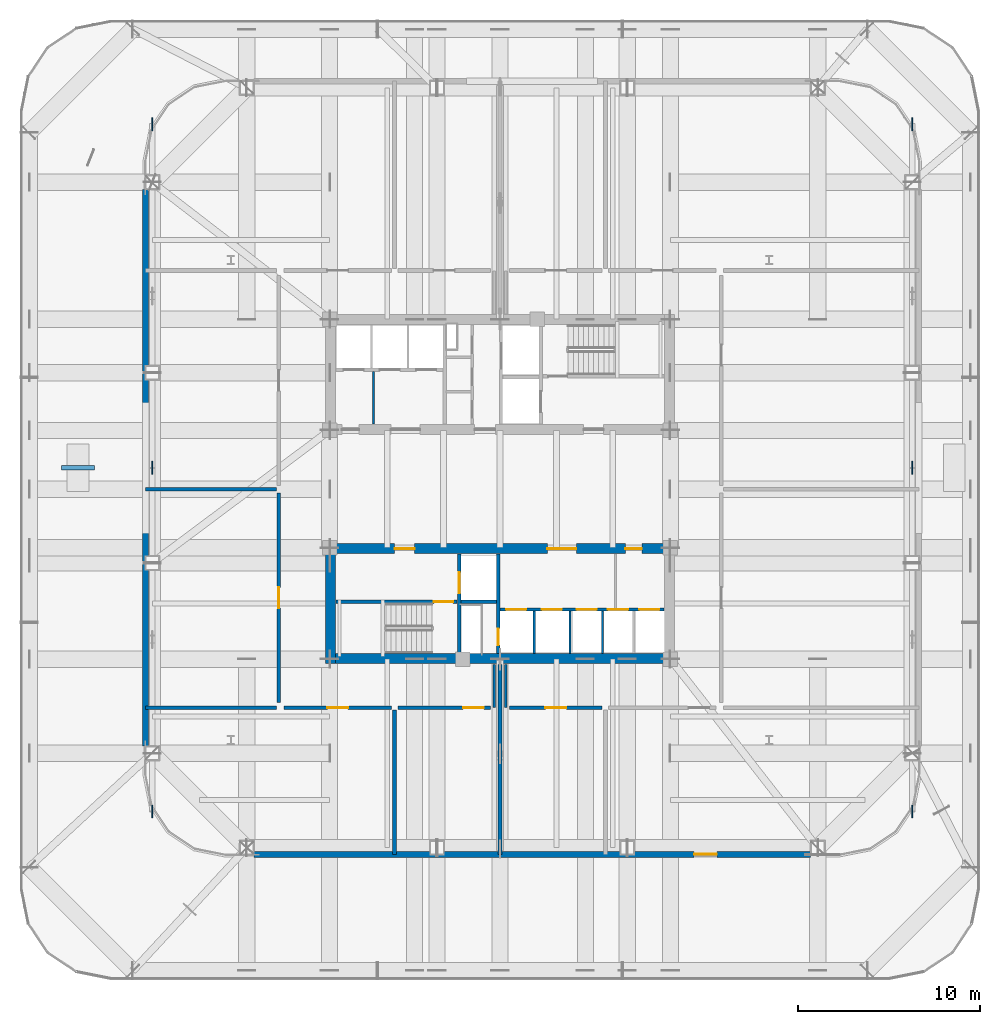
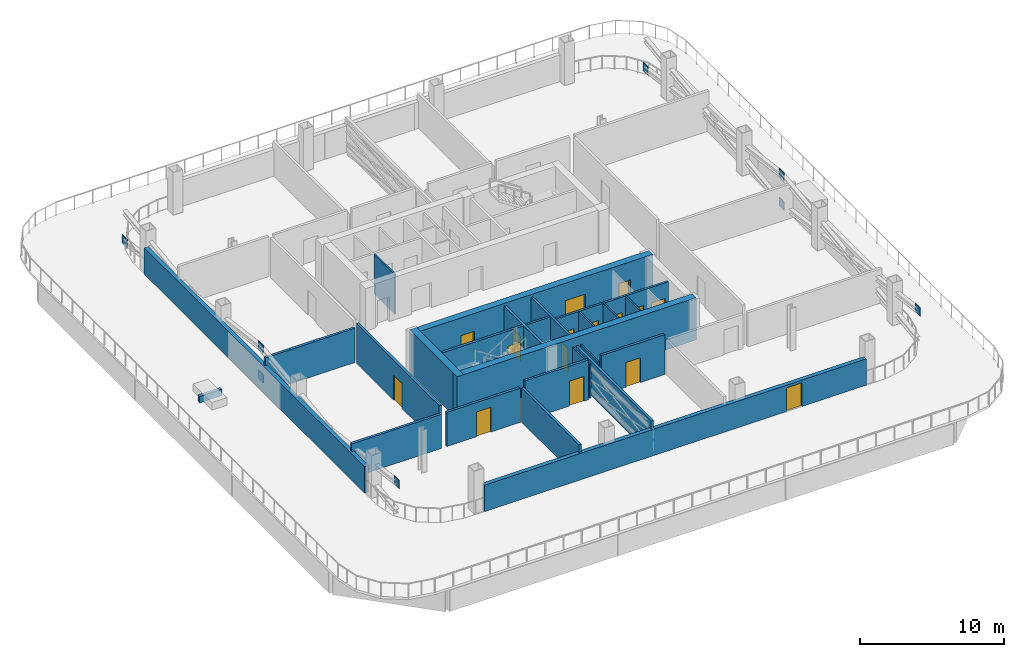
# One storey, part 8 of 16: 25 walls, 16 doors, 8 plates, 16 openings.
"""IFC4 building model written with IfcOpenShell, lengths in metres."""

from ifc_helpers import new_model, si_unit, direction, frame, frame_2d, origin, origin_2d, place, context, subcontext, project, spatial, rectangle, extrude, material, layer, layer_set, type_object, element, fill, save


model = new_model("IFC4")

# Units and contexts
model_context = context("Model", 3, precision=1e-05, world=origin(), true_north=direction((0.0, 1.0)))
body_context = subcontext(model_context, "Body", "Model", "MODEL_VIEW")
ifc_project = project(units=[si_unit("LENGTHUNIT", "METRE"), si_unit("AREAUNIT", "SQUARE_METRE"), si_unit("VOLUMEUNIT", "CUBIC_METRE"), si_unit("PLANEANGLEUNIT", "RADIAN"), si_unit("MASSUNIT", "GRAM", prefix="KILO")], contexts=[model_context])

# Site, building, storey
site_placement = place(None, origin())
site = spatial("IfcSite", under=ifc_project, at=site_placement, CompositionType="ELEMENT")
building_placement = place(site_placement, origin())
building = spatial("IfcBuilding", under=site, at=building_placement, Name="Qhalaya Broadcast Tower", CompositionType="ELEMENT")
storey_placement = place(building_placement, frame((0.0, 0.0, 57.89990234375)))
storey = spatial("IfcBuildingStorey", under=building, at=storey_placement, Name="L16", CompositionType="ELEMENT", Elevation=57.89990234375)

# Plates
ifc_material_1 = material(Name="Structural Steel ASTM A572 Grade 50", Category="steel")
ifc_layer_1 = layer(ifc_material_1, 0.06005859375, Name="Structural Steel ASTM A572 Grade 50")
ifc_layer_set_1 = layer_set([ifc_layer_1], Name="Structural Steel ASTM A572 Grade 50")
plate_type = type_object("IfcPlateType", Name="Outrigger Core Embed Gusset Plate NP-02", PredefinedType="USERDEFINED", material=ifc_layer_set_1)
for number, where, z_axis, x_axis, name in (
    (1, (-19.1298828125, -17.1298828125, 2.580078125), (0.0, 0.0, 1.0), (0.0, 1.0, 0.0), "L16 Belt Truss End Gusset W1-B1T"),
    (2, (-19.1298828125, 1.77001953125, 0.10009765625), (0.0, 0.0, 1.0), (0.0, 1.0, 0.0), "L16 Belt Truss End Gusset W1-B2B"),
    (3, (-19.1298828125, 1.77001953125, 2.580078125), (0.0, 0.0, 1.0), (0.0, 1.0, 0.0), "L16 Belt Truss End Gusset W2-B1T"),
    (4, (-19.1298828125, 20.669921875, 0.10009765625), (0.0, 0.0, 1.0), (0.0, 1.0, 0.0), "L16 Belt Truss End Gusset W2-B2B"),
    (5, (22.669921875, -17.1298828125, 2.580078125), (0.0, 0.0, 1.0), (0.0, 1.0, 0.0), "L16 Belt Truss End Gusset E1-B1T"),
    (6, (22.669921875, 1.77001953125, 0.10009765625), (0.0, 0.0, 1.0), (0.0, 1.0, 0.0), "L16 Belt Truss End Gusset E1-B2B"),
    (7, (22.669921875, 1.77001953125, 2.580078125), (0.0, 0.0, 1.0), (0.0, 1.0, 0.0), "L16 Belt Truss End Gusset E2-B1T"),
    (8, (22.669921875, 20.669921875, 0.10009765625), (0.0, 0.0, 1.0), (0.0, 1.0, 0.0), "L16 Belt Truss End Gusset E2-B2B"),
):
    element("IfcPlate", number, at=place(storey_placement, frame(where, z_axis=z_axis, x_axis=x_axis)), inside=storey, type_object=plate_type, Name=name, ObjectType="GUSSET_PLATE", PredefinedType="USERDEFINED", context=body_context, shape_type="SweptSolid", body=[
        extrude(rectangle(XDim=0.699951171875, YDim=0.06005859375, at=origin_2d()), origin(), (0.0, 0.0, 1.0), 0.699951171875),
    ])

# Wall
ifc_material_2 = material(Name="Gypsum Acoustic Partition")
ifc_layer_2 = layer(ifc_material_2, 0.199951171875, Name="Gypsum Acoustic Partition")
ifc_layer_set_2 = layer_set([ifc_layer_2], Name="Gypsum Acoustic Partition")
wall_type_1 = type_object("IfcWallType", Name="Firefighting Lobby & Stair Enclosure Wall 200", PredefinedType="PARTITIONING", material=ifc_layer_set_2)
wall_1_placement = place(storey_placement, frame((0.0, -19.510009765625, 0.0), z_axis=(0.0, 0.0, 1.0), x_axis=(0.0, 1.0, 0.0)))
element("IfcWall", 9, at=wall_1_placement, inside=storey, type_object=wall_type_1, Name="L16 Partition Wall W-OBS", PredefinedType="PARTITIONING", context=body_context, shape_type="SweptSolid", body=[
    extrude(rectangle(XDim=10.469970703125, YDim=0.199951171875, at=frame_2d((5.23486328125, 0.0))), origin(), (0.0, 0.0, 1.0), 2.901123046875),
])

# Wall, opening, door
wall_2_placement = place(storey_placement, frame((-11.8701171875, -11.419921875, 0.0), z_axis=(0.0, 0.0, 1.0), x_axis=(1.0, 0.0, 0.0)))
wall_2 = element("IfcWall", 10, at=wall_2_placement, inside=storey, type_object=wall_type_1, Name="L16 Partition Wall W-PCS0", PredefinedType="PARTITIONING", context=body_context, shape_type="SweptSolid", body=[
    extrude(rectangle(XDim=5.89013671875, YDim=0.199951171875, at=frame_2d((2.945068359375, 0.0))), origin(), (0.0, 0.0, 1.0), 2.901123046875),
])
opening_1_placement = place(wall_2_placement, frame((2.3701171875, 0.0, 0.0)))
opening_1 = element("IfcOpeningElement", 11, at=opening_1_placement, cuts=wall_2, Name="Opening D05", PredefinedType="OPENING", context=body_context, shape_type="SweptSolid", body=[
    extrude(rectangle(XDim=1.14990234375, YDim=2.10009765625, at=frame_2d((0.574951171875, 1.050048828125))), frame((0.0, 0.112060546875, 0.0), z_axis=(0.0, -1.0, 0.0), x_axis=(1.0, 0.0, 0.0)), (0.0, 0.0, 1.0), 0.223876953125),
])
ifc_material_3 = material(Name="Fire-Rated Steel Door", Category="steel")
door_type_1 = type_object("IfcDoorType", Name="Refuge & Plant Room Fire Door D05", OperationType="NOTDEFINED", PredefinedType="DOOR", material=ifc_material_3)
door_1_placement = place(opening_1_placement, origin())
door_1 = element("IfcDoor", 12, at=door_1_placement, inside=storey, type_object=door_type_1, Name="L16 Door D-PCS0", OperationType="SINGLE_SWING_RIGHT", OverallHeight=2.10009765625, OverallWidth=1.14990234375, PredefinedType="DOOR", context=body_context, shape_type="SweptSolid", body=[
    extrude(rectangle(XDim=1.14990234375, YDim=2.10009765625, at=frame_2d((0.574951171875, 1.050048828125))), frame((0.0, 0.02490234375, 0.0), z_axis=(0.0, -1.0, 0.0), x_axis=(1.0, 0.0, 0.0)), (0.0, 0.0, 1.0), 0.050048828125),
])
fill(opening_1, door_1)

# Wall
wall_3_placement = place(storey_placement, frame((-5.800048828125, -19.510009765625, 0.0), z_axis=(0.0, 0.0, 1.0), x_axis=(0.0, 1.0, 0.0)))
element("IfcWall", 13, at=wall_3_placement, inside=storey, type_object=wall_type_1, Name="L16 Partition Wall W-PDS1", PredefinedType="PARTITIONING", context=body_context, shape_type="SweptSolid", body=[
    extrude(rectangle(XDim=7.969970703125, YDim=0.199951171875, at=frame_2d((3.98486328125, 0.0))), origin(), (0.0, 0.0, 1.0), 2.901123046875),
])

# Wall, opening, door
wall_4_placement = place(storey_placement, frame((-5.6201171875, -11.419921875, 0.0), z_axis=(0.0, 0.0, 1.0), x_axis=(1.0, 0.0, 0.0)))
wall_4 = element("IfcWall", 14, at=wall_4_placement, inside=storey, type_object=wall_type_1, Name="L16 Partition Wall W-PCS1", PredefinedType="PARTITIONING", context=body_context, shape_type="SweptSolid", body=[
    extrude(rectangle(XDim=5.090087890625, YDim=0.199951171875, at=frame_2d((2.544921875, 0.0))), origin(), (0.0, 0.0, 1.0), 3.380126953125),
])
opening_2_placement = place(wall_4_placement, frame((3.590087890625, 0.0, 0.0)))
opening_2 = element("IfcOpeningElement", 15, at=opening_2_placement, cuts=wall_4, Name="Opening D05", PredefinedType="OPENING", context=body_context, shape_type="SweptSolid", body=[
    extrude(rectangle(XDim=1.14990234375, YDim=2.10009765625, at=frame_2d((0.574951171875, 1.050048828125))), frame((0.0, 0.112060546875, 0.0), z_axis=(0.0, -1.0, 0.0), x_axis=(1.0, 0.0, 0.0)), (0.0, 0.0, 1.0), 0.223876953125),
])
door_2_placement = place(opening_2_placement, origin())
door_2 = element("IfcDoor", 16, at=door_2_placement, inside=storey, type_object=door_type_1, Name="L16 Door D-PCS1", OperationType="SINGLE_SWING_RIGHT", OverallHeight=2.10009765625, OverallWidth=1.14990234375, PredefinedType="DOOR", context=body_context, shape_type="SweptSolid", body=[
    extrude(rectangle(XDim=1.14990234375, YDim=2.10009765625, at=frame_2d((0.574951171875, 1.050048828125))), frame((0.0, 0.02490234375, 0.0), z_axis=(0.0, -1.0, 0.0), x_axis=(1.0, 0.0, 0.0)), (0.0, 0.0, 1.0), 0.050048828125),
])
fill(opening_2, door_2)

wall_5_placement = place(storey_placement, frame((0.530029296875, -11.419921875, 0.0), z_axis=(0.0, 0.0, 1.0), x_axis=(1.0, 0.0, 0.0)))
wall_5 = element("IfcWall", 17, at=wall_5_placement, inside=storey, type_object=wall_type_1, Name="L16 Partition Wall W-PCS2", PredefinedType="PARTITIONING", context=body_context, shape_type="SweptSolid", body=[
    extrude(rectangle(XDim=5.090087890625, YDim=0.199951171875, at=frame_2d((2.544921875, 0.0))), origin(), (0.0, 0.0, 1.0), 3.380126953125),
])
opening_3_placement = place(wall_5_placement, frame((1.969970703125, 0.0, 0.0)))
opening_3 = element("IfcOpeningElement", 18, at=opening_3_placement, cuts=wall_5, Name="Opening D05", PredefinedType="OPENING", context=body_context, shape_type="SweptSolid", body=[
    extrude(rectangle(XDim=1.14990234375, YDim=2.10009765625, at=frame_2d((0.574951171875, 1.050048828125))), frame((0.0, 0.112060546875, 0.0), z_axis=(0.0, -1.0, 0.0), x_axis=(1.0, 0.0, 0.0)), (0.0, 0.0, 1.0), 0.223876953125),
])
door_3_placement = place(opening_3_placement, origin())
door_3 = element("IfcDoor", 19, at=door_3_placement, inside=storey, type_object=door_type_1, Name="L16 Door D-PCS2", OperationType="SINGLE_SWING_RIGHT", OverallHeight=2.10009765625, OverallWidth=1.14990234375, PredefinedType="DOOR", context=body_context, shape_type="SweptSolid", body=[
    extrude(rectangle(XDim=1.14990234375, YDim=2.10009765625, at=frame_2d((0.574951171875, 1.050048828125))), frame((0.0, 0.02490234375, 0.0), z_axis=(0.0, -1.0, 0.0), x_axis=(1.0, 0.0, 0.0)), (0.0, 0.0, 1.0), 0.050048828125),
])
fill(opening_3, door_3)

# Walls
for number, where, z_axis, x_axis, name in (
    (20, (-19.510009765625, -11.419921875, 0.0), (0.0, 0.0, 1.0), (1.0, 0.0, 0.0), "L16 Partition Wall W-PBSW"),
    (21, (-19.510009765625, 0.60009765625, 0.0), (0.0, 0.0, 1.0), (1.0, 0.0, 0.0), "L16 Partition Wall W-PDW1"),
):
    element("IfcWall", number, at=place(storey_placement, frame(where, z_axis=z_axis, x_axis=x_axis)), inside=storey, type_object=wall_type_1, Name=name, PredefinedType="PARTITIONING", context=body_context, shape_type="SweptSolid", body=[
        extrude(rectangle(XDim=7.219970703125, YDim=0.199951171875, at=frame_2d((3.60986328125, 0.0))), origin(), (0.0, 0.0, 1.0), 2.901123046875),
    ])

# Wall, opening, door
wall_6_placement = place(storey_placement, frame((-12.169921875, -11.139892578125, 0.0), z_axis=(0.0, 0.0, 1.0), x_axis=(0.0, 1.0, 0.0)))
wall_6 = element("IfcWall", 22, at=wall_6_placement, inside=storey, type_object=wall_type_1, Name="L16 Partition Wall W-PCW1", PredefinedType="PARTITIONING", context=body_context, shape_type="SweptSolid", body=[
    extrude(rectangle(XDim=11.52978515625, YDim=0.199951171875, at=frame_2d((5.764892578125, 0.0))), origin(), (0.0, 0.0, 1.0), 3.380126953125),
])
opening_4_placement = place(wall_6_placement, frame((5.18994140625, 0.0, 0.0)))
opening_4 = element("IfcOpeningElement", 23, at=opening_4_placement, cuts=wall_6, Name="Opening D05", PredefinedType="OPENING", context=body_context, shape_type="SweptSolid", body=[
    extrude(rectangle(XDim=1.14990234375, YDim=2.10009765625, at=frame_2d((0.574951171875, 1.050048828125))), frame((0.0, 0.112060546875, 0.0), z_axis=(0.0, -1.0, 0.0), x_axis=(1.0, 0.0, 0.0)), (0.0, 0.0, 1.0), 0.223876953125),
])
door_4_placement = place(opening_4_placement, origin())
door_4 = element("IfcDoor", 24, at=door_4_placement, inside=storey, type_object=door_type_1, Name="L16 Door D-PCW1", OperationType="SINGLE_SWING_LEFT", OverallHeight=2.10009765625, OverallWidth=1.14990234375, PredefinedType="DOOR", context=body_context, shape_type="SweptSolid", body=[
    extrude(rectangle(XDim=1.14990234375, YDim=2.10009765625, at=frame_2d((0.574951171875, 1.050048828125))), frame((0.0, 0.02490234375, 0.0), z_axis=(0.0, -1.0, 0.0), x_axis=(1.0, 0.0, 0.0)), (0.0, 0.0, 1.0), 0.050048828125),
])
fill(opening_4, door_4)

ifc_material_4 = material(Name="Concrete C50/60", Category="concrete")
ifc_layer_3 = layer(ifc_material_4, 0.199951171875, Name="Concrete C50/60")
ifc_layer_set_3 = layer_set([ifc_layer_3], Name="Concrete C50/60")
wall_type_2 = type_object("IfcWallType", Name="Load-Bearing Stair Shaft Wall 200", PredefinedType="SHEAR", material=ifc_layer_set_3)
wall_7_placement = place(storey_placement, frame((-9.030029296875, -5.60498046875, 0.0), z_axis=(0.0, 0.0, 1.0), x_axis=(1.0, 0.0, 0.0)))
wall_7 = element("IfcWall", 25, at=wall_7_placement, inside=storey, type_object=wall_type_2, Name="L16 Stair Core Shear Wall SCW-ST2", PredefinedType="SHEAR", context=body_context, shape_type="SweptSolid", body=[
    extrude(rectangle(XDim=6.669921875, YDim=0.199951171875, at=frame_2d((3.3349609375, 0.0))), origin(), (0.0, 0.0, 1.0), 3.380126953125),
])
opening_5_placement = place(wall_7_placement, frame((5.39990234375, 0.0, 0.0)))
opening_5 = element("IfcOpeningElement", 26, at=opening_5_placement, cuts=wall_7, Name="Opening D03", PredefinedType="OPENING", context=body_context, shape_type="SweptSolid", body=[
    extrude(rectangle(XDim=1.050048828125, YDim=2.080078125, at=frame_2d((0.52490234375, 1.0400390625))), frame((0.0, 0.112060546875, 0.0), z_axis=(0.0, -1.0, 0.0), x_axis=(1.0, 0.0, 0.0)), (0.0, 0.0, 1.0), 0.223876953125),
])
door_type_2 = type_object("IfcDoorType", Name="Core Stair Protected Fire Door D03", OperationType="NOTDEFINED", PredefinedType="DOOR", material=ifc_material_3)
door_5_placement = place(opening_5_placement, origin())
door_5 = element("IfcDoor", 27, at=door_5_placement, inside=storey, type_object=door_type_2, Name="L16 Door D-SST2", OperationType="SINGLE_SWING_RIGHT", OverallHeight=2.080078125, OverallWidth=1.050048828125, PredefinedType="DOOR", context=body_context, shape_type="SweptSolid", body=[
    extrude(rectangle(XDim=1.050048828125, YDim=2.080078125, at=frame_2d((0.52490234375, 1.0400390625))), frame((0.0, 0.02490234375, 0.0), z_axis=(0.0, -1.0, 0.0), x_axis=(1.0, 0.0, 0.0)), (0.0, 0.0, 1.0), 0.050048828125),
])
fill(opening_5, door_5)

wall_8_placement = place(storey_placement, frame((-2.25, -8.429931640625, 0.0), z_axis=(0.0, 0.0, 1.0), x_axis=(0.0, 1.0, 0.0)))
wall_8 = element("IfcWall", 28, at=wall_8_placement, inside=storey, type_object=wall_type_2, Name="L16 Stair Core Shear Wall SCW-FF", PredefinedType="SHEAR", context=body_context, shape_type="SweptSolid", body=[
    extrude(rectangle(XDim=5.4599609375, YDim=0.199951171875, at=frame_2d((2.72998046875, 0.0))), origin(), (0.0, 0.0, 1.0), 3.380126953125),
])
opening_6_placement = place(wall_8_placement, frame((3.300048828125, 0.0, 0.0)))
opening_6 = element("IfcOpeningElement", 29, at=opening_6_placement, cuts=wall_8, Name="Opening LD2", PredefinedType="OPENING", context=body_context, shape_type="SweptSolid", body=[
    extrude(rectangle(XDim=1.14990234375, YDim=2.080078125, at=frame_2d((0.574951171875, 1.0400390625))), frame((0.0, 0.112060546875, 0.0), z_axis=(0.0, -1.0, 0.0), x_axis=(1.0, 0.0, 0.0)), (0.0, 0.0, 1.0), 0.223876953125),
])
ifc_material_5 = material(Name="Brushed Stainless Steel Lift Door", Category="steel")
door_type_3 = type_object("IfcDoorType", Name="Firefighting Lift Sliding Landing Door LD2", OperationType="DOUBLE_DOOR_SLIDING", PredefinedType="DOOR", material=ifc_material_5)
door_6_placement = place(opening_6_placement, origin())
door_6 = element("IfcDoor", 30, at=door_6_placement, inside=storey, type_object=door_type_3, Name="L16 Door LD-FF2", OperationType="DOUBLE_DOOR_SLIDING", OverallHeight=2.080078125, OverallWidth=1.14990234375, PredefinedType="DOOR", context=body_context, shape_type="SweptSolid", body=[
    extrude(rectangle(XDim=1.14990234375, YDim=2.080078125, at=frame_2d((0.574951171875, 1.0400390625))), frame((0.0, 0.02490234375, 0.0), z_axis=(0.0, -1.0, 0.0), x_axis=(1.0, 0.0, 0.0)), (0.0, 0.0, 1.0), 0.050048828125),
])
fill(opening_6, door_6)

# Wall
ifc_material_6 = material(Name="Concrete C60/75", Category="concrete")
ifc_layer_4 = layer(ifc_material_6, 0.550048828125, Name="Concrete C60/75")
ifc_layer_set_4 = layer_set([ifc_layer_4], Name="Concrete C60/75")
wall_type_3 = type_object("IfcWallType", Name="Lower Split-Core Shear Wall 550", PredefinedType="SHEAR", material=ifc_layer_set_4)
wall_9_placement = place(storey_placement, frame((-9.60009765625, -8.72509765625, 0.0), z_axis=(0.0, 0.0, 1.0), x_axis=(1.0, 0.0, 0.0)))
element("IfcWall", 31, at=wall_9_placement, inside=storey, type_object=wall_type_3, Name="L16 Split-Core Shear Wall CW-SS", PredefinedType="SHEAR", context=body_context, shape_type="SweptSolid", body=[
    extrude(rectangle(XDim=19.2001953125, YDim=0.550048828125, at=frame_2d((9.60009765625, 0.0))), origin(), (0.0, 0.0, 1.0), 3.60009765625),
])

# Wall, openings, doors
wall_10_placement = place(storey_placement, frame((-9.60009765625, -2.675048828125, 0.0), z_axis=(0.0, 0.0, 1.0), x_axis=(1.0, 0.0, 0.0)))
wall_10 = element("IfcWall", 32, at=wall_10_placement, inside=storey, type_object=wall_type_3, Name="L16 Split-Core Shear Wall CW-SN", PredefinedType="SHEAR", context=body_context, shape_type="SweptSolid", body=[
    extrude(rectangle(XDim=19.2001953125, YDim=0.550048828125, at=frame_2d((9.60009765625, 0.0))), origin(), (0.0, 0.0, 1.0), 3.60009765625),
])
opening_7_placement = place(wall_10_placement, frame((3.800048828125, 0.0, 0.0)))
opening_7 = element("IfcOpeningElement", 33, at=opening_7_placement, cuts=wall_10, Name="Opening D04", PredefinedType="OPENING", context=body_context, shape_type="SweptSolid", body=[
    extrude(rectangle(XDim=1.10009765625, YDim=2.080078125, at=frame_2d((0.550048828125, 1.0400390625))), frame((0.0, 0.287109375, 0.0), z_axis=(0.0, -1.0, 0.0), x_axis=(1.0, 0.0, 0.0)), (0.0, 0.0, 1.0), 0.573974609375),
])
opening_8_placement = place(wall_10_placement, frame((12.199951171875, 0.0, 0.0)))
opening_8 = element("IfcOpeningElement", 34, at=opening_8_placement, cuts=wall_10, Name="Opening D07", PredefinedType="OPENING", context=body_context, shape_type="SweptSolid", body=[
    extrude(rectangle(XDim=1.60009765625, YDim=2.1201171875, at=frame_2d((0.800048828125, 1.06005859375))), frame((0.0, 0.287109375, 0.0), z_axis=(0.0, -1.0, 0.0), x_axis=(1.0, 0.0, 0.0)), (0.0, 0.0, 1.0), 0.573974609375),
])
opening_9_placement = place(wall_10_placement, frame((16.5, 0.0, 0.0)))
opening_9 = element("IfcOpeningElement", 35, at=opening_9_placement, cuts=wall_10, Name="Opening D06", PredefinedType="OPENING", context=body_context, shape_type="SweptSolid", body=[
    extrude(rectangle(XDim=0.89990234375, YDim=2.050048828125, at=frame_2d((0.449951171875, 1.02490234375))), frame((0.0, 0.287109375, 0.0), z_axis=(0.0, -1.0, 0.0), x_axis=(1.0, 0.0, 0.0)), (0.0, 0.0, 1.0), 0.573974609375),
])
door_type_4 = type_object("IfcDoorType", Name="Firefighting Lobby Rated Door D04", OperationType="NOTDEFINED", PredefinedType="DOOR", material=ifc_material_3)
door_7_placement = place(opening_7_placement, origin())
door_7 = element("IfcDoor", 36, at=door_7_placement, inside=storey, type_object=door_type_4, Name="L16 Door D-SFF", OperationType="SINGLE_SWING_LEFT", OverallHeight=2.080078125, OverallWidth=1.10009765625, PredefinedType="DOOR", context=body_context, shape_type="SweptSolid", body=[
    extrude(rectangle(XDim=1.10009765625, YDim=2.080078125, at=frame_2d((0.550048828125, 1.0400390625))), frame((0.0, 0.02490234375, 0.0), z_axis=(0.0, -1.0, 0.0), x_axis=(1.0, 0.0, 0.0)), (0.0, 0.0, 1.0), 0.050048828125),
])
fill(opening_7, door_7)
ifc_material_7 = material(Name="Anodised Aluminium Glazed Door", Category="aluminium")
door_type_5 = type_object("IfcDoorType", Name="Passenger Lift Lobby Double Glazed Door D07", OperationType="DOUBLE_DOOR_SINGLE_SWING", PredefinedType="DOOR", material=ifc_material_7)
door_8_placement = place(opening_8_placement, origin())
door_8 = element("IfcDoor", 37, at=door_8_placement, inside=storey, type_object=door_type_5, Name="L16 Door D-SPLL", OperationType="DOUBLE_DOOR_SINGLE_SWING", OverallHeight=2.1201171875, OverallWidth=1.60009765625, PredefinedType="DOOR", context=body_context, shape_type="SweptSolid", body=[
    extrude(rectangle(XDim=1.60009765625, YDim=2.1201171875, at=frame_2d((0.800048828125, 1.06005859375))), frame((0.0, 0.02490234375, 0.0), z_axis=(0.0, -1.0, 0.0), x_axis=(1.0, 0.0, 0.0)), (0.0, 0.0, 1.0), 0.050048828125),
])
fill(opening_8, door_8)
door_type_6 = type_object("IfcDoorType", Name="Riser & Electrical Shaft Access Door D06", OperationType="NOTDEFINED", PredefinedType="DOOR", material=ifc_material_3)
door_9_placement = place(opening_9_placement, origin())
door_9 = element("IfcDoor", 38, at=door_9_placement, inside=storey, type_object=door_type_6, Name="L16 Door D-SSCST", OperationType="SINGLE_SWING_LEFT", OverallHeight=2.050048828125, OverallWidth=0.89990234375, PredefinedType="DOOR", context=body_context, shape_type="SweptSolid", body=[
    extrude(rectangle(XDim=0.89990234375, YDim=2.050048828125, at=frame_2d((0.449951171875, 1.02490234375))), frame((0.0, 0.02490234375, 0.0), z_axis=(0.0, -1.0, 0.0), x_axis=(1.0, 0.0, 0.0)), (0.0, 0.0, 1.0), 0.050048828125),
])
fill(opening_9, door_9)

# Walls
wall_11_placement = place(storey_placement, frame((-9.324951171875, -9.0, 0.0), z_axis=(0.0, 0.0, 1.0), x_axis=(0.0, 1.0, 0.0)))
element("IfcWall", 39, at=wall_11_placement, inside=storey, type_object=wall_type_3, Name="L16 Split-Core Shear Wall CW-SW", PredefinedType="SHEAR", context=body_context, shape_type="SweptSolid", body=[
    extrude(rectangle(XDim=6.60009765625, YDim=0.550048828125, at=frame_2d((3.300048828125, 0.0))), origin(), (0.0, 0.0, 1.0), 3.60009765625),
])
ifc_layer_5 = layer(ifc_material_2, 0.1201171875, Name="Gypsum Acoustic Partition")
ifc_layer_set_5 = layer_set([ifc_layer_5], Name="Gypsum Acoustic Partition")
wall_type_4 = type_object("IfcWallType", Name="Office, Booth & Sanitary Partition 120", PredefinedType="PARTITIONING", material=ifc_layer_set_5)
wall_12_placement = place(storey_placement, frame((-6.949951171875, 4.169921875, 0.0), z_axis=(0.0, 0.0, 1.0), x_axis=(0.0, 1.0, 0.0)))
element("IfcWall", 40, at=wall_12_placement, inside=storey, type_object=wall_type_4, Name="L16 Partition Wall NCW-LKB", PredefinedType="PARTITIONING", context=body_context, shape_type="SweptSolid", body=[
    extrude(rectangle(XDim=2.89013671875, YDim=0.1201171875, at=frame_2d((1.445068359375, 0.0))), origin(), (0.0, 0.0, 1.0), 3.380126953125),
])
for number, where, z_axis, x_axis, name in (
    (41, (1.8798828125, -8.429931640625, 0.0), (0.0, 0.0, 1.0), (0.0, 1.0, 0.0), "L16 Partition Wall SCW-MD4"),
    (42, (3.85009765625, -8.429931640625, 0.0), (0.0, 0.0, 1.0), (0.0, 1.0, 0.0), "L16 Partition Wall SCW-MD5"),
    (43, (5.639892578125, -8.429931640625, 0.0), (0.0, 0.0, 1.0), (0.0, 1.0, 0.0), "L16 Partition Wall SCW-HD6"),
):
    element("IfcWall", number, at=place(storey_placement, frame(where, z_axis=z_axis, x_axis=x_axis)), inside=storey, type_object=wall_type_4, Name=name, PredefinedType="PARTITIONING", context=body_context, shape_type="SweptSolid", body=[
        extrude(rectangle(XDim=2.329833984375, YDim=0.1201171875, at=frame_2d((1.1650390625, 0.0))), origin(), (0.0, 0.0, 1.0), 3.380126953125),
    ])
for number, where, z_axis, x_axis, name in (
    (44, (-0.320068359375, -11.39990234375, 0.0), (0.0, 0.0, 1.0), (0.0, 1.0, 0.0), "L16 Partition Wall W-OBSCW"),
    (45, (0.320068359375, -11.39990234375, 0.0), (0.0, 0.0, 1.0), (0.0, 1.0, 0.0), "L16 Partition Wall W-OBSCE"),
):
    element("IfcWall", number, at=place(storey_placement, frame(where, z_axis=z_axis, x_axis=x_axis)), inside=storey, type_object=wall_type_4, Name=name, PredefinedType="PARTITIONING", context=body_context, shape_type="SweptSolid", body=[
        extrude(rectangle(XDim=2.35986328125, YDim=0.1201171875, at=frame_2d((1.179931640625, 0.0))), origin(), (0.0, 0.0, 1.0), 2.901123046875),
    ])
ifc_material_8 = material(Name="Precast Concrete C40/50", Category="concrete")
ifc_layer_6 = layer(ifc_material_8, 0.239990234375, Name="Precast Concrete C40/50")
ifc_layer_set_6 = layer_set([ifc_layer_6], Name="Precast Concrete C40/50")
wall_type_5 = type_object("IfcWallType", Name="Planted Terrace & Roof Parapet Upstand 240", PredefinedType="PARAPET", material=ifc_layer_set_6)
wall_13_placement = place(storey_placement, frame((-24.114990234375, 1.77001953125, 0.0), z_axis=(0.0, 0.0, 1.0), x_axis=(1.0, 0.0, 0.0)))
element("IfcWall", 46, at=wall_13_placement, inside=storey, type_object=wall_type_5, Name="L16 Planted Parapet Upstand PW-1", PredefinedType="PARAPET", context=body_context, shape_type="SweptSolid", body=[
    extrude(rectangle(XDim=1.800048828125, YDim=0.239990234375, at=frame_2d((0.89990234375, 0.0))), origin(), (0.0, 0.0, 1.0), 0.550048828125),
])

# Wall, opening, door
ifc_layer_7 = layer(ifc_material_8, 0.320068359375, Name="Precast Concrete C40/50")
ifc_layer_set_7 = layer_set([ifc_layer_7], Name="Precast Concrete C40/50")
wall_type_6 = type_object("IfcWallType", Name="Recessed Neck Insulated Exterior Wall 320", PredefinedType="SOLIDWALL", material=ifc_layer_set_7)
wall_14_placement = place(storey_placement, frame((17.08203125, -19.489990234375, 0.0), z_axis=(0.0, 0.0, 1.0), x_axis=(-1.0, 0.0, 0.0)))
wall_14 = element("IfcWall", 47, at=wall_14_placement, inside=storey, type_object=wall_type_6, Name="L16 Exterior Facade Wall S", PredefinedType="SOLIDWALL", context=body_context, shape_type="SweptSolid", body=[
    extrude(rectangle(XDim=30.6240234375, YDim=0.320068359375, at=frame_2d((15.31201171875, 0.0))), origin(), (0.0, 0.0, 1.0), 2.2421875),
])
opening_10_placement = place(wall_14_placement, frame((5.154052734375, 0.0, 0.0)))
opening_10 = element("IfcOpeningElement", 48, at=opening_10_placement, cuts=wall_14, Name="Opening D13", PredefinedType="OPENING", context=body_context, shape_type="SweptSolid", body=[
    extrude(rectangle(XDim=1.25, YDim=2.02001953125, at=frame_2d((0.625, 1.010009765625))), frame((0.0, 0.172119140625, 0.0), z_axis=(0.0, -1.0, 0.0), x_axis=(1.0, 0.0, 0.0)), (0.0, 0.0, 1.0), 0.343994140625),
])
door_type_7 = type_object("IfcDoorType", Name="Sky-Garden, Sky-Pool & Lookout Terrace Door D13", OperationType="NOTDEFINED", PredefinedType="DOOR", material=ifc_material_7)
door_10_placement = place(opening_10_placement, origin())
door_10 = element("IfcDoor", 49, at=door_10_placement, inside=storey, type_object=door_type_7, Name="L16 Outdoor Terrace Access Door S", OperationType="SINGLE_SWING_LEFT", OverallHeight=2.02001953125, OverallWidth=1.25, PredefinedType="DOOR", context=body_context, shape_type="SweptSolid", body=[
    extrude(rectangle(XDim=1.25, YDim=2.02001953125, at=frame_2d((0.625, 1.010009765625))), frame((0.0, 0.02490234375, 0.0), z_axis=(0.0, -1.0, 0.0), x_axis=(1.0, 0.0, 0.0)), (0.0, 0.0, 1.0), 0.050048828125),
])
fill(opening_10, door_10)

# Wall
wall_15_placement = place(storey_placement, frame((-19.489990234375, -13.5419921875, 0.0), z_axis=(0.0, 0.0, 1.0), x_axis=(0.0, 1.0, 0.0)))
element("IfcWall", 50, at=wall_15_placement, inside=storey, type_object=wall_type_6, Name="L16 Exterior Facade Wall W", PredefinedType="SOLIDWALL", context=body_context, shape_type="SweptSolid", body=[
    extrude(rectangle(XDim=30.6240234375, YDim=0.320068359375, at=frame_2d((15.31201171875, 0.0))), origin(), (0.0, 0.0, 1.0), 2.2421875),
])

# Wall, opening, door
ifc_layer_8 = layer(ifc_material_2, 0.175048828125, Name="Gypsum Acoustic Partition")
ifc_layer_set_8 = layer_set([ifc_layer_8], Name="Gypsum Acoustic Partition")
wall_type_7 = type_object("IfcWallType", Name="Shaft & Riser Fire Partition 175", PredefinedType="PARTITIONING", material=ifc_layer_set_8)
wall_16_placement = place(storey_placement, frame((-0.10009765625, -8.429931640625, 0.0), z_axis=(0.0, 0.0, 1.0), x_axis=(0.0, 1.0, 0.0)))
wall_16 = element("IfcWall", 51, at=wall_16_placement, inside=storey, type_object=wall_type_7, Name="L16 Partition Wall SCW-FFE", PredefinedType="PARTITIONING", context=body_context, shape_type="SweptSolid", body=[
    extrude(rectangle(XDim=5.4599609375, YDim=0.175048828125, at=frame_2d((2.72998046875, 0.0))), origin(), (0.0, 0.0, 1.0), 3.380126953125),
])
opening_11_placement = place(wall_16_placement, frame((0.449951171875, 0.0, 0.0)))
opening_11 = element("IfcOpeningElement", 52, at=opening_11_placement, cuts=wall_16, Name="Opening D06", PredefinedType="OPENING", context=body_context, shape_type="SweptSolid", body=[
    extrude(rectangle(XDim=0.89990234375, YDim=2.050048828125, at=frame_2d((0.449951171875, 1.02490234375))), frame((0.0, 0.099609375, 0.0), z_axis=(0.0, -1.0, 0.0), x_axis=(1.0, 0.0, 0.0)), (0.0, 0.0, 1.0), 0.198974609375),
])
door_11_placement = place(opening_11_placement, origin())
door_11 = element("IfcDoor", 53, at=door_11_placement, inside=storey, type_object=door_type_6, Name="L16 Riser Shaft Access Door D-SRSR", OperationType="SINGLE_SWING_LEFT", OverallHeight=2.050048828125, OverallWidth=0.89990234375, PredefinedType="DOOR", context=body_context, shape_type="SweptSolid", body=[
    extrude(rectangle(XDim=0.89990234375, YDim=2.050048828125, at=frame_2d((0.449951171875, 1.02490234375))), frame((0.0, 0.02490234375, 0.0), z_axis=(0.0, -1.0, 0.0), x_axis=(1.0, 0.0, 0.0)), (0.0, 0.0, 1.0), 0.050048828125),
])
fill(opening_11, door_11)

# Wall
wall_17_placement = place(storey_placement, frame((-2.14990234375, -5.60009765625, 0.0), z_axis=(0.0, 0.0, 1.0), x_axis=(1.0, 0.0, 0.0)))
element("IfcWall", 54, at=wall_17_placement, inside=storey, type_object=wall_type_7, Name="L16 Partition Wall SCW-FFM", PredefinedType="PARTITIONING", context=body_context, shape_type="SweptSolid", body=[
    extrude(rectangle(XDim=1.969970703125, YDim=0.175048828125, at=frame_2d((0.98486328125, 0.0))), origin(), (0.0, 0.0, 1.0), 3.380126953125),
])

# Wall, openings, doors
wall_18_placement = place(storey_placement, frame((0.0, -6.02001953125, 0.0), z_axis=(0.0, 0.0, 1.0), x_axis=(1.0, 0.0, 0.0)))
wall_18 = element("IfcWall", 55, at=wall_18_placement, inside=storey, type_object=wall_type_7, Name="L16 Partition Wall SCW-SLB", PredefinedType="PARTITIONING", context=body_context, shape_type="SweptSolid", body=[
    extrude(rectangle(XDim=9.030029296875, YDim=0.175048828125, at=frame_2d((4.51513671875, 0.0))), origin(), (0.0, 0.0, 1.0), 3.380126953125),
])
opening_12_placement = place(wall_18_placement, frame((0.330078125, 0.0, 0.0)))
opening_12 = element("IfcOpeningElement", 56, at=opening_12_placement, cuts=wall_18, Name="Opening LD1", PredefinedType="OPENING", context=body_context, shape_type="SweptSolid", body=[
    extrude(rectangle(XDim=1.10009765625, YDim=2.06005859375, at=frame_2d((0.550048828125, 1.030029296875))), frame((0.0, 0.099609375, 0.0), z_axis=(0.0, -1.0, 0.0), x_axis=(1.0, 0.0, 0.0)), (0.0, 0.0, 1.0), 0.198974609375),
])
opening_13_placement = place(wall_18_placement, frame((2.300048828125, 0.0, 0.0)))
opening_13 = element("IfcOpeningElement", 57, at=opening_13_placement, cuts=wall_18, Name="Opening LD1", PredefinedType="OPENING", context=body_context, shape_type="SweptSolid", body=[
    extrude(rectangle(XDim=1.10009765625, YDim=2.06005859375, at=frame_2d((0.550048828125, 1.030029296875))), frame((0.0, 0.099609375, 0.0), z_axis=(0.0, -1.0, 0.0), x_axis=(1.0, 0.0, 0.0)), (0.0, 0.0, 1.0), 0.198974609375),
])
opening_14_placement = place(wall_18_placement, frame((4.219970703125, 0.0, 0.0)))
opening_14 = element("IfcOpeningElement", 58, at=opening_14_placement, cuts=wall_18, Name="Opening LD1", PredefinedType="OPENING", context=body_context, shape_type="SweptSolid", body=[
    extrude(rectangle(XDim=1.10009765625, YDim=2.06005859375, at=frame_2d((0.550048828125, 1.030029296875))), frame((0.0, 0.099609375, 0.0), z_axis=(0.0, -1.0, 0.0), x_axis=(1.0, 0.0, 0.0)), (0.0, 0.0, 1.0), 0.198974609375),
])
opening_15_placement = place(wall_18_placement, frame((5.93994140625, 0.0, 0.0)))
opening_15 = element("IfcOpeningElement", 59, at=opening_15_placement, cuts=wall_18, Name="Opening LD1", PredefinedType="OPENING", context=body_context, shape_type="SweptSolid", body=[
    extrude(rectangle(XDim=1.10009765625, YDim=2.06005859375, at=frame_2d((0.550048828125, 1.030029296875))), frame((0.0, 0.099609375, 0.0), z_axis=(0.0, -1.0, 0.0), x_axis=(1.0, 0.0, 0.0)), (0.0, 0.0, 1.0), 0.198974609375),
])
opening_16_placement = place(wall_18_placement, frame((7.659912109375, 0.0, 0.0)))
opening_16 = element("IfcOpeningElement", 60, at=opening_16_placement, cuts=wall_18, Name="Opening LD1", PredefinedType="OPENING", context=body_context, shape_type="SweptSolid", body=[
    extrude(rectangle(XDim=1.10009765625, YDim=2.06005859375, at=frame_2d((0.550048828125, 1.030029296875))), frame((0.0, 0.099609375, 0.0), z_axis=(0.0, -1.0, 0.0), x_axis=(1.0, 0.0, 0.0)), (0.0, 0.0, 1.0), 0.198974609375),
])
door_type_8 = type_object("IfcDoorType", Name="Passenger Lift Sliding Landing Door LD1", OperationType="DOUBLE_DOOR_SLIDING", PredefinedType="DOOR", material=ifc_material_5)
door_12_placement = place(opening_12_placement, origin())
door_12 = element("IfcDoor", 61, at=door_12_placement, inside=storey, type_object=door_type_8, Name="L16 Door LD-P4", OperationType="DOUBLE_DOOR_SLIDING", OverallHeight=2.06005859375, OverallWidth=1.10009765625, PredefinedType="DOOR", context=body_context, shape_type="SweptSolid", body=[
    extrude(rectangle(XDim=1.10009765625, YDim=2.06005859375, at=frame_2d((0.550048828125, 1.030029296875))), frame((0.0, 0.02490234375, 0.0), z_axis=(0.0, -1.0, 0.0), x_axis=(1.0, 0.0, 0.0)), (0.0, 0.0, 1.0), 0.050048828125),
])
fill(opening_12, door_12)
door_13_placement = place(opening_13_placement, origin())
door_13 = element("IfcDoor", 62, at=door_13_placement, inside=storey, type_object=door_type_8, Name="L16 Door LD-P5", OperationType="DOUBLE_DOOR_SLIDING", OverallHeight=2.06005859375, OverallWidth=1.10009765625, PredefinedType="DOOR", context=body_context, shape_type="SweptSolid", body=[
    extrude(rectangle(XDim=1.10009765625, YDim=2.06005859375, at=frame_2d((0.550048828125, 1.030029296875))), frame((0.0, 0.02490234375, 0.0), z_axis=(0.0, -1.0, 0.0), x_axis=(1.0, 0.0, 0.0)), (0.0, 0.0, 1.0), 0.050048828125),
])
fill(opening_13, door_13)
door_14_placement = place(opening_14_placement, origin())
door_14 = element("IfcDoor", 63, at=door_14_placement, inside=storey, type_object=door_type_8, Name="L16 Door LD-P6", OperationType="DOUBLE_DOOR_SLIDING", OverallHeight=2.06005859375, OverallWidth=1.10009765625, PredefinedType="DOOR", context=body_context, shape_type="SweptSolid", body=[
    extrude(rectangle(XDim=1.10009765625, YDim=2.06005859375, at=frame_2d((0.550048828125, 1.030029296875))), frame((0.0, 0.02490234375, 0.0), z_axis=(0.0, -1.0, 0.0), x_axis=(1.0, 0.0, 0.0)), (0.0, 0.0, 1.0), 0.050048828125),
])
fill(opening_14, door_14)
door_15_placement = place(opening_15_placement, origin())
door_15 = element("IfcDoor", 64, at=door_15_placement, inside=storey, type_object=door_type_8, Name="L16 Door LD-P7", OperationType="DOUBLE_DOOR_SLIDING", OverallHeight=2.06005859375, OverallWidth=1.10009765625, PredefinedType="DOOR", context=body_context, shape_type="SweptSolid", body=[
    extrude(rectangle(XDim=1.10009765625, YDim=2.06005859375, at=frame_2d((0.550048828125, 1.030029296875))), frame((0.0, 0.02490234375, 0.0), z_axis=(0.0, -1.0, 0.0), x_axis=(1.0, 0.0, 0.0)), (0.0, 0.0, 1.0), 0.050048828125),
])
fill(opening_15, door_15)
door_16_placement = place(opening_16_placement, origin())
door_16 = element("IfcDoor", 65, at=door_16_placement, inside=storey, type_object=door_type_8, Name="L16 Door LD-P8", OperationType="DOUBLE_DOOR_SLIDING", OverallHeight=2.06005859375, OverallWidth=1.10009765625, PredefinedType="DOOR", context=body_context, shape_type="SweptSolid", body=[
    extrude(rectangle(XDim=1.10009765625, YDim=2.06005859375, at=frame_2d((0.550048828125, 1.030029296875))), frame((0.0, 0.02490234375, 0.0), z_axis=(0.0, -1.0, 0.0), x_axis=(1.0, 0.0, 0.0)), (0.0, 0.0, 1.0), 0.050048828125),
])
fill(opening_16, door_16)

save(model, "model.ifc")
